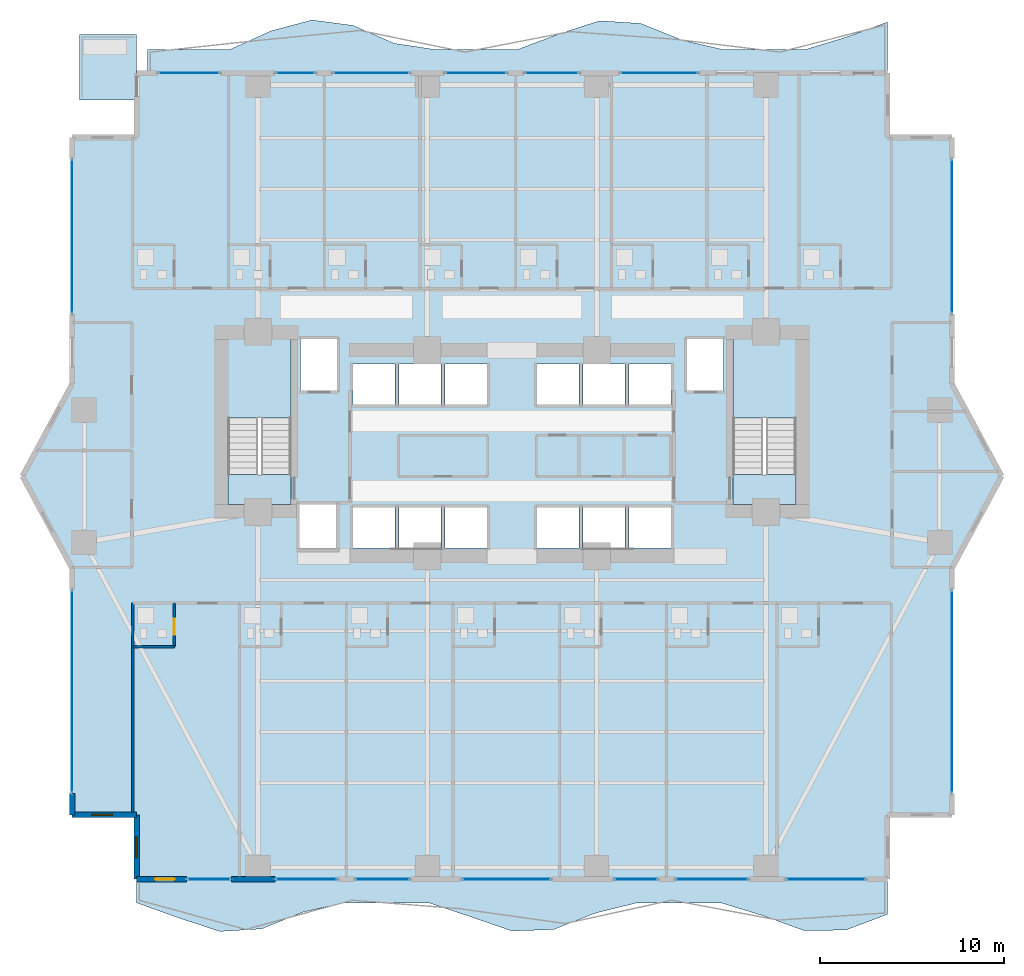
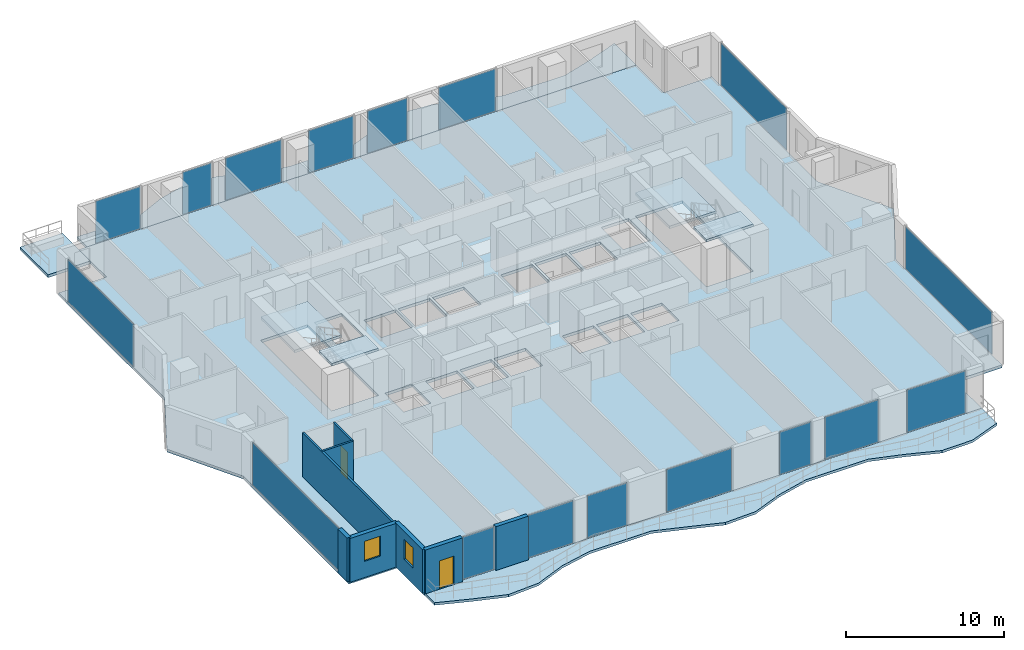
# One storey, part 20 of 29: 17 plates, 8 slabs, 8 walls, 2 doors, 2 windows, 4 openings, 19 elements without a shape of their own.
"""IFC4 building model written with IfcOpenShell, lengths in metres."""

from ifc_helpers import new_model, si_unit, direction, frame, frame_2d, origin, origin_2d, place, context, subcontext, project, spatial, polyline, rectangle, outline, extrude, material, layer, layer_set, type_object, element, fill, aggregate, save


model = new_model("IFC4")

# Units and contexts
model_context = context("Model", 3, precision=1e-05, world=origin(), true_north=direction((0.0, 1.0)))
body_context = subcontext(model_context, "Body", "Model", "MODEL_VIEW")
ifc_project = project(units=[si_unit("LENGTHUNIT", "METRE"), si_unit("AREAUNIT", "SQUARE_METRE"), si_unit("VOLUMEUNIT", "CUBIC_METRE"), si_unit("PLANEANGLEUNIT", "RADIAN"), si_unit("MASSUNIT", "GRAM", prefix="KILO")], contexts=[model_context])

# Site, building, storey
site_placement = place(None, origin())
site = spatial("IfcSite", under=ifc_project, at=site_placement, CompositionType="ELEMENT")
building_placement = place(site_placement, origin())
building = spatial("IfcBuilding", under=site, at=building_placement, Name="Zuhayl Quay Hotel", CompositionType="ELEMENT")
storey_placement = place(building_placement, frame((0.0, 0.0, 158.550048828125)))
storey = spatial("IfcBuildingStorey", under=building, at=storey_placement, Name="L40", CompositionType="ELEMENT", Elevation=158.550048828125)

# Curtain wall, plate
ifc_material_1 = material(Name="Anodised Aluminium 6063-T6", Category="aluminium")
ifc_layer_1 = layer(ifc_material_1, 0.179931640625, Name="Anodised Aluminium 6063-T6", Category="aluminium")
ifc_layer_set_1 = layer_set([ifc_layer_1], Name="Anodised Aluminium 6063-T6")
curtain_wall_type = type_object("IfcCurtainWallType", Name="CW_SYS_Z2", PredefinedType="USERDEFINED", material=ifc_layer_set_1)
curtain_wall_1_placement = place(storey_placement, origin())
curtain_wall_1 = element("IfcCurtainWall", 1, at=curtain_wall_1_placement, inside=storey, type_object=curtain_wall_type, Name="L40 Curtain Wall ENV_L40_E02_CW1", ObjectType="UNITISED CURTAIN WALL", PredefinedType="USERDEFINED")
ifc_material_2 = material(Name="Dark Ceramic-Fritted Solar Glass", Category="glass")
ifc_layer_2 = layer(ifc_material_2, 0.035888671875, Name="Dark Ceramic-Fritted Solar Glass", Category="glass")
ifc_layer_set_2 = layer_set([ifc_layer_2], Name="Dark Ceramic-Fritted Solar Glass")
plate_type = type_object("IfcPlateType", Name="PN_DARK_FRIT_Z1", PredefinedType="CURTAIN_PANEL", material=ifc_layer_set_2)
plate_1_placement = place(storey_placement, frame((-23.89990234375, -5.199951171875, 0.06005859375), z_axis=(0.0, 0.0, 1.0), x_axis=(0.0, 1.0, 0.0)))
plate_1 = element("IfcPlate", 2, at=plate_1_placement, type_object=plate_type, Name="CW-Z2 panel 1.1", PredefinedType="CURTAIN_PANEL", context=body_context, shape_type="SweptSolid", body=[
    extrude(rectangle(XDim=10.969970703125, YDim=0.035888671875, at=origin_2d()), origin(), (0.0, 0.0, 1.0), 3.27001953125),
])
aggregate(curtain_wall_1, [plate_1])

curtain_wall_2_placement = place(storey_placement, origin())
curtain_wall_2 = element("IfcCurtainWall", 3, at=curtain_wall_2_placement, inside=storey, type_object=curtain_wall_type, Name="L40 Curtain Wall ENV_L40_E05_CW1", ObjectType="UNITISED CURTAIN WALL", PredefinedType="USERDEFINED")
plate_2_placement = place(storey_placement, frame((-23.89990234375, 19.52490234375, 0.06005859375), z_axis=(0.0, 0.0, 1.0), x_axis=(0.0, 1.0, 0.0)))
plate_2 = element("IfcPlate", 4, at=plate_2_placement, type_object=plate_type, Name="CW-Z2 panel 1.1", PredefinedType="CURTAIN_PANEL", context=body_context, shape_type="SweptSolid", body=[
    extrude(rectangle(XDim=8.320068359375, YDim=0.035888671875, at=origin_2d()), origin(), (0.0, 0.0, 1.0), 3.27001953125),
])
aggregate(curtain_wall_2, [plate_2])

curtain_wall_3_placement = place(storey_placement, origin())
curtain_wall_3 = element("IfcCurtainWall", 5, at=curtain_wall_3_placement, inside=storey, type_object=curtain_wall_type, Name="L40 Curtain Wall ENV_L40_N_CW1", ObjectType="UNITISED CURTAIN WALL", PredefinedType="USERDEFINED")
plate_3_placement = place(storey_placement, frame((-17.550048828125, 28.39990234375, 0.06005859375), z_axis=(0.0, 0.0, 1.0), x_axis=(1.0, 0.0, 0.0)))
plate_3 = element("IfcPlate", 6, at=plate_3_placement, type_object=plate_type, Name="CW-Z2 panel 1.1", PredefinedType="CURTAIN_PANEL", context=body_context, shape_type="SweptSolid", body=[
    extrude(rectangle(XDim=3.27001953125, YDim=0.035888671875, at=origin_2d()), origin(), (0.0, 0.0, 1.0), 3.27001953125),
])
aggregate(curtain_wall_3, [plate_3])

curtain_wall_4_placement = place(storey_placement, origin())
curtain_wall_4 = element("IfcCurtainWall", 7, at=curtain_wall_4_placement, inside=storey, type_object=curtain_wall_type, Name="L40 Curtain Wall ENV_L40_N_CW2", ObjectType="UNITISED CURTAIN WALL", PredefinedType="USERDEFINED")
plate_4_placement = place(storey_placement, frame((-11.764892578125, 28.39990234375, 0.06005859375), z_axis=(0.0, 0.0, 1.0), x_axis=(1.0, 0.0, 0.0)))
plate_4 = element("IfcPlate", 8, at=plate_4_placement, type_object=plate_type, Name="CW-Z2 panel 1.1", PredefinedType="CURTAIN_PANEL", context=body_context, shape_type="SweptSolid", body=[
    extrude(rectangle(XDim=2.10009765625, YDim=0.035888671875, at=origin_2d()), origin(), (0.0, 0.0, 1.0), 3.27001953125),
])
aggregate(curtain_wall_4, [plate_4])

curtain_wall_5_placement = place(storey_placement, origin())
curtain_wall_5 = element("IfcCurtainWall", 9, at=curtain_wall_5_placement, inside=storey, type_object=curtain_wall_type, Name="L40 Curtain Wall ENV_L40_N_CW3", ObjectType="UNITISED CURTAIN WALL", PredefinedType="USERDEFINED")
plate_5_placement = place(storey_placement, frame((-7.635009765625, 28.39990234375, 0.06005859375), z_axis=(0.0, 0.0, 1.0), x_axis=(1.0, 0.0, 0.0)))
plate_5 = element("IfcPlate", 10, at=plate_5_placement, type_object=plate_type, Name="CW-Z2 panel 1.1", PredefinedType="CURTAIN_PANEL", context=body_context, shape_type="SweptSolid", body=[
    extrude(rectangle(XDim=4.10009765625, YDim=0.035888671875, at=origin_2d()), origin(), (0.0, 0.0, 1.0), 3.27001953125),
])
aggregate(curtain_wall_5, [plate_5])

curtain_wall_6_placement = place(storey_placement, origin())
curtain_wall_6 = element("IfcCurtainWall", 11, at=curtain_wall_6_placement, inside=storey, type_object=curtain_wall_type, Name="L40 Curtain Wall ENV_L40_N_CW4", ObjectType="UNITISED CURTAIN WALL", PredefinedType="USERDEFINED")
plate_6_placement = place(storey_placement, frame((-1.965087890625, 28.39990234375, 0.06005859375), z_axis=(0.0, 0.0, 1.0), x_axis=(1.0, 0.0, 0.0)))
plate_6 = element("IfcPlate", 12, at=plate_6_placement, type_object=plate_type, Name="CW-Z2 panel 1.1", PredefinedType="CURTAIN_PANEL", context=body_context, shape_type="SweptSolid", body=[
    extrude(rectangle(XDim=3.300048828125, YDim=0.035888671875, at=origin_2d()), origin(), (0.0, 0.0, 1.0), 3.27001953125),
])
aggregate(curtain_wall_6, [plate_6])

curtain_wall_7_placement = place(storey_placement, origin())
curtain_wall_7 = element("IfcCurtainWall", 13, at=curtain_wall_7_placement, inside=storey, type_object=curtain_wall_type, Name="L40 Curtain Wall ENV_L40_N_CW5", ObjectType="UNITISED CURTAIN WALL", PredefinedType="USERDEFINED")
plate_7_placement = place(storey_placement, frame((2.1650390625, 28.39990234375, 0.06005859375), z_axis=(0.0, 0.0, 1.0), x_axis=(1.0, 0.0, 0.0)))
plate_7 = element("IfcPlate", 14, at=plate_7_placement, type_object=plate_type, Name="CW-Z2 panel 1.1", PredefinedType="CURTAIN_PANEL", context=body_context, shape_type="SweptSolid", body=[
    extrude(rectangle(XDim=2.89990234375, YDim=0.035888671875, at=origin_2d()), origin(), (0.0, 0.0, 1.0), 3.27001953125),
])
aggregate(curtain_wall_7, [plate_7])

curtain_wall_8_placement = place(storey_placement, origin())
curtain_wall_8 = element("IfcCurtainWall", 15, at=curtain_wall_8_placement, inside=storey, type_object=curtain_wall_type, Name="L40 Curtain Wall ENV_L40_N_CW6", ObjectType="UNITISED CURTAIN WALL", PredefinedType="USERDEFINED")
plate_8_placement = place(storey_placement, frame((8.0, 28.39990234375, 0.06005859375), z_axis=(0.0, 0.0, 1.0), x_axis=(1.0, 0.0, 0.0)))
plate_8 = element("IfcPlate", 16, at=plate_8_placement, type_object=plate_type, Name="CW-Z2 panel 1.1", PredefinedType="CURTAIN_PANEL", context=body_context, shape_type="SweptSolid", body=[
    extrude(rectangle(XDim=4.169921875, YDim=0.035888671875, at=origin_2d()), origin(), (0.0, 0.0, 1.0), 3.27001953125),
])
aggregate(curtain_wall_8, [plate_8])

curtain_wall_9_placement = place(storey_placement, origin())
curtain_wall_9 = element("IfcCurtainWall", 17, at=curtain_wall_9_placement, inside=storey, type_object=curtain_wall_type, Name="L40 Curtain Wall ENV_L40_E11_CW1", ObjectType="UNITISED CURTAIN WALL", PredefinedType="USERDEFINED")
plate_9_placement = place(storey_placement, frame((23.89990234375, 19.52490234375, 0.06005859375), z_axis=(0.0, 0.0, 1.0), x_axis=(0.0, -1.0, 0.0)))
plate_9 = element("IfcPlate", 18, at=plate_9_placement, type_object=plate_type, Name="CW-Z2 panel 1.1", PredefinedType="CURTAIN_PANEL", context=body_context, shape_type="SweptSolid", body=[
    extrude(rectangle(XDim=8.320068359375, YDim=0.035888671875, at=origin_2d()), origin(), (0.0, 0.0, 1.0), 3.27001953125),
])
aggregate(curtain_wall_9, [plate_9])

curtain_wall_10_placement = place(storey_placement, origin())
curtain_wall_10 = element("IfcCurtainWall", 19, at=curtain_wall_10_placement, inside=storey, type_object=curtain_wall_type, Name="L40 Curtain Wall ENV_L40_E14_CW1", ObjectType="UNITISED CURTAIN WALL", PredefinedType="USERDEFINED")
plate_10_placement = place(storey_placement, frame((23.89990234375, -5.199951171875, 0.06005859375), z_axis=(0.0, 0.0, 1.0), x_axis=(0.0, -1.0, 0.0)))
plate_10 = element("IfcPlate", 20, at=plate_10_placement, type_object=plate_type, Name="CW-Z2 panel 1.1", PredefinedType="CURTAIN_PANEL", context=body_context, shape_type="SweptSolid", body=[
    extrude(rectangle(XDim=10.969970703125, YDim=0.035888671875, at=origin_2d()), origin(), (0.0, 0.0, 1.0), 3.27001953125),
])
aggregate(curtain_wall_10, [plate_10])

curtain_wall_11_placement = place(storey_placement, origin())
curtain_wall_11 = element("IfcCurtainWall", 21, at=curtain_wall_11_placement, inside=storey, type_object=curtain_wall_type, Name="L40 Curtain Wall ENV_L40_S_CW1", ObjectType="UNITISED CURTAIN WALL", PredefinedType="USERDEFINED")
plate_11_placement = place(storey_placement, frame((17.050048828125, -15.39990234375, 0.06005859375), z_axis=(0.0, 0.0, 1.0), x_axis=(-1.0, 0.0, 0.0)))
plate_11 = element("IfcPlate", 22, at=plate_11_placement, type_object=plate_type, Name="CW-Z2 panel 1.1", PredefinedType="CURTAIN_PANEL", context=body_context, shape_type="SweptSolid", body=[
    extrude(rectangle(XDim=4.27001953125, YDim=0.035888671875, at=origin_2d()), origin(), (0.0, 0.0, 1.0), 3.27001953125),
])
aggregate(curtain_wall_11, [plate_11])

curtain_wall_12_placement = place(storey_placement, origin())
curtain_wall_12 = element("IfcCurtainWall", 23, at=curtain_wall_12_placement, inside=storey, type_object=curtain_wall_type, Name="L40 Curtain Wall ENV_L40_S_CW2", ObjectType="UNITISED CURTAIN WALL", PredefinedType="USERDEFINED")
plate_12_placement = place(storey_placement, frame((10.864990234375, -15.39990234375, 0.06005859375), z_axis=(0.0, 0.0, 1.0), x_axis=(-1.0, 0.0, 0.0)))
plate_12 = element("IfcPlate", 24, at=plate_12_placement, type_object=plate_type, Name="CW-Z2 panel 1.1", PredefinedType="CURTAIN_PANEL", context=body_context, shape_type="SweptSolid", body=[
    extrude(rectangle(XDim=3.89990234375, YDim=0.035888671875, at=origin_2d()), origin(), (0.0, 0.0, 1.0), 3.27001953125),
])
aggregate(curtain_wall_12, [plate_12])

curtain_wall_13_placement = place(storey_placement, origin())
curtain_wall_13 = element("IfcCurtainWall", 25, at=curtain_wall_13_placement, inside=storey, type_object=curtain_wall_type, Name="L40 Curtain Wall ENV_L40_S_CW3", ObjectType="UNITISED CURTAIN WALL", PredefinedType="USERDEFINED")
plate_13_placement = place(storey_placement, frame((6.735107421875, -15.39990234375, 0.06005859375), z_axis=(0.0, 0.0, 1.0), x_axis=(-1.0, 0.0, 0.0)))
plate_13 = element("IfcPlate", 26, at=plate_13_placement, type_object=plate_type, Name="CW-Z2 panel 1.1", PredefinedType="CURTAIN_PANEL", context=body_context, shape_type="SweptSolid", body=[
    extrude(rectangle(XDim=2.300048828125, YDim=0.035888671875, at=origin_2d()), origin(), (0.0, 0.0, 1.0), 3.27001953125),
])
aggregate(curtain_wall_13, [plate_13])

curtain_wall_14_placement = place(storey_placement, origin())
curtain_wall_14 = element("IfcCurtainWall", 27, at=curtain_wall_14_placement, inside=storey, type_object=curtain_wall_type, Name="L40 Curtain Wall ENV_L40_S_CW4", ObjectType="UNITISED CURTAIN WALL", PredefinedType="USERDEFINED")
plate_14_placement = place(storey_placement, frame((-0.300048828125, -15.39990234375, 0.06005859375), z_axis=(0.0, 0.0, 1.0), x_axis=(-1.0, 0.0, 0.0)))
plate_14 = element("IfcPlate", 28, at=plate_14_placement, type_object=plate_type, Name="CW-Z2 panel 1.1", PredefinedType="CURTAIN_PANEL", context=body_context, shape_type="SweptSolid", body=[
    extrude(rectangle(XDim=4.77001953125, YDim=0.035888671875, at=origin_2d()), origin(), (0.0, 0.0, 1.0), 3.27001953125),
])
aggregate(curtain_wall_14, [plate_14])

curtain_wall_15_placement = place(storey_placement, origin())
curtain_wall_15 = element("IfcCurtainWall", 29, at=curtain_wall_15_placement, inside=storey, type_object=curtain_wall_type, Name="L40 Curtain Wall ENV_L40_S_CW5", ObjectType="UNITISED CURTAIN WALL", PredefinedType="USERDEFINED")
plate_15_placement = place(storey_placement, frame((-7.034912109375, -15.39990234375, 0.06005859375), z_axis=(0.0, 0.0, 1.0), x_axis=(-1.0, 0.0, 0.0)))
plate_15 = element("IfcPlate", 30, at=plate_15_placement, type_object=plate_type, Name="CW-Z2 panel 1.1", PredefinedType="CURTAIN_PANEL", context=body_context, shape_type="SweptSolid", body=[
    extrude(rectangle(XDim=2.89990234375, YDim=0.035888671875, at=origin_2d()), origin(), (0.0, 0.0, 1.0), 3.27001953125),
])
aggregate(curtain_wall_15, [plate_15])

curtain_wall_16_placement = place(storey_placement, origin())
curtain_wall_16 = element("IfcCurtainWall", 31, at=curtain_wall_16_placement, inside=storey, type_object=curtain_wall_type, Name="L40 Curtain Wall ENV_L40_S_CW6", ObjectType="UNITISED CURTAIN WALL", PredefinedType="USERDEFINED")
plate_16_placement = place(storey_placement, frame((-11.1650390625, -15.39990234375, 0.06005859375), z_axis=(0.0, 0.0, 1.0), x_axis=(-1.0, 0.0, 0.0)))
plate_16 = element("IfcPlate", 32, at=plate_16_placement, type_object=plate_type, Name="CW-Z2 panel 1.1", PredefinedType="CURTAIN_PANEL", context=body_context, shape_type="SweptSolid", body=[
    extrude(rectangle(XDim=3.300048828125, YDim=0.035888671875, at=origin_2d()), origin(), (0.0, 0.0, 1.0), 3.27001953125),
])
aggregate(curtain_wall_16, [plate_16])

curtain_wall_17_placement = place(storey_placement, origin())
curtain_wall_17 = element("IfcCurtainWall", 33, at=curtain_wall_17_placement, inside=storey, type_object=curtain_wall_type, Name="L40 Curtain Wall ENV_L40_S_CW7", ObjectType="UNITISED CURTAIN WALL", PredefinedType="USERDEFINED")
plate_17_placement = place(storey_placement, frame((-16.467529296875, -15.39990234375, 0.06005859375), z_axis=(0.0, 0.0, 1.0), x_axis=(-1.0, 0.0, 0.0)))
plate_17 = element("IfcPlate", 34, at=plate_17_placement, type_object=plate_type, Name="CW-Z2 panel 1.1", PredefinedType="CURTAIN_PANEL", context=body_context, shape_type="SweptSolid", body=[
    extrude(rectangle(XDim=2.304931640625, YDim=0.035888671875, at=origin_2d()), origin(), (0.0, 0.0, 1.0), 3.27001953125),
])
aggregate(curtain_wall_17, [plate_17])

# Slabs
ifc_material_3 = material(Name="Concrete C45/55", Category="concrete")
ifc_layer_3 = layer(ifc_material_3, 0.195068359375, Name="Concrete C45/55", Category="concrete")
ifc_layer_set_3 = layer_set([ifc_layer_3], Name="Concrete C45/55")
slab_type_1 = type_object("IfcSlabType", Name="SL_BALCONY_195", PredefinedType="FLOOR", material=ifc_layer_set_3)
slab_1_placement = place(storey_placement, frame((0.0, 0.0, -0.195068359375)))
element("IfcSlab", 35, at=slab_1_placement, inside=storey, type_object=slab_type_1, Name="L40 Exterior Rippling Balcony Slab North", PredefinedType="FLOOR", context=body_context, shape_type="SweptSolid", body=[
    extrude(outline(polyline([(-19.800048828125, 28.39990234375), (20.39990234375, 28.39990234375), (20.39990234375, 31.17822265625), (18.166748046875, 30.357666015625), (15.933349609375, 29.679931640625), (13.699951171875, 29.679931640625), (11.466796875, 29.679931640625), (9.2333984375, 30.197021484375), (7.0, 31.098388671875), (4.7666015625, 31.243896484375), (2.533203125, 30.5283203125), (0.300048828125, 29.679931640625), (-1.933349609375, 29.679931640625), (-4.166748046875, 29.679931640625), (-6.39990234375, 30.017333984375), (-8.63330078125, 30.98974609375), (-10.86669921875, 31.28466796875), (-13.10009765625, 30.689208984375), (-15.333251953125, 29.679931640625), (-17.566650390625, 29.679931640625), (-19.800048828125, 29.679931640625), (-19.800048828125, 28.39990234375)])), origin(), (0.0, 0.0, 1.0), 0.195068359375),
])
slab_2_placement = place(storey_placement, frame((0.0, 0.0, -0.195068359375)))
element("IfcSlab", 36, at=slab_2_placement, inside=storey, type_object=slab_type_1, Name="L40 Exterior Rippling Balcony Slab South", PredefinedType="FLOOR", context=body_context, shape_type="SweptSolid", body=[
    extrude(outline(polyline([(-20.39990234375, -16.679931640625), (-18.13330078125, -17.498046875), (-15.86669921875, -18.23876953125), (-13.60009765625, -18.098388671875), (-11.333251953125, -17.1806640625), (-9.066650390625, -16.679931640625), (-6.800048828125, -16.679931640625), (-4.533203125, -16.679931640625), (-2.2666015625, -17.436279296875), (0.0, -18.217041015625), (2.2666015625, -18.132568359375), (4.533203125, -17.24560546875), (6.800048828125, -16.679931640625), (9.066650390625, -16.679931640625), (11.333251953125, -16.679931640625), (13.60009765625, -17.37353515625), (15.86669921875, -18.19189453125), (18.13330078125, -18.163818359375), (20.39990234375, -17.309814453125), (20.39990234375, -15.39990234375), (-20.39990234375, -15.39990234375), (-20.39990234375, -16.679931640625)])), origin(), (0.0, 0.0, 1.0), 0.195068359375),
])
ifc_layer_4 = layer(ifc_material_3, 0.219970703125, Name="Concrete C45/55", Category="concrete")
ifc_layer_set_4 = layer_set([ifc_layer_4], Name="Concrete C45/55")
slab_type_2 = type_object("IfcSlabType", Name="SL_FLOOR_220", PredefinedType="FLOOR", material=ifc_layer_set_4)
slab_3_placement = place(storey_placement, frame((0.0, 0.0, -0.219970703125)))
element("IfcSlab", 37, at=slab_3_placement, inside=storey, type_object=slab_type_2, Name="L40 Structural Floor Slab", PredefinedType="FLOOR", context=body_context, shape_type="SweptSolid", body=[
    extrude(outline(polyline([(-20.39990234375, -15.39990234375), (20.39990234375, -15.39990234375), (20.39990234375, -11.89990234375), (23.89990234375, -11.89990234375), (23.89990234375, 1.5), (26.60009765625, 6.5), (23.89990234375, 11.5), (23.89990234375, 24.89990234375), (20.39990234375, 24.89990234375), (20.39990234375, 28.39990234375), (-20.39990234375, 28.39990234375), (-20.39990234375, 24.89990234375), (-23.89990234375, 24.89990234375), (-23.89990234375, 11.5), (-26.60009765625, 6.5), (-23.89990234375, 1.5), (-23.89990234375, -11.89990234375), (-20.39990234375, -11.89990234375), (-20.39990234375, -15.39990234375)]), holes=[polyline([(-12.0, 4.949951171875), (-12.0, 13.949951171875), (-15.429931640625, 13.949951171875), (-15.429931640625, 4.949951171875), (-12.0, 4.949951171875)]), polyline([(15.429931640625, 4.949951171875), (15.429931640625, 13.949951171875), (12.0, 13.949951171875), (12.0, 4.949951171875), (15.429931640625, 4.949951171875)]), polyline([(-11.5, 11.14990234375), (-9.5, 11.14990234375), (-9.5, 13.949951171875), (-11.5, 13.949951171875), (-11.5, 11.14990234375)]), polyline([(9.5, 11.14990234375), (11.5, 11.14990234375), (11.5, 13.949951171875), (9.5, 13.949951171875), (9.5, 11.14990234375)]), polyline([(-8.64990234375, 2.60009765625), (-6.35009765625, 2.60009765625), (-6.35009765625, 4.800048828125), (-8.64990234375, 4.800048828125), (-8.64990234375, 2.60009765625)]), polyline([(-6.14990234375, 2.60009765625), (-3.85009765625, 2.60009765625), (-3.85009765625, 4.800048828125), (-6.14990234375, 4.800048828125), (-6.14990234375, 2.60009765625)]), polyline([(-8.64990234375, 10.39990234375), (-6.35009765625, 10.39990234375), (-6.35009765625, 12.60009765625), (-8.64990234375, 12.60009765625), (-8.64990234375, 10.39990234375)]), polyline([(-6.14990234375, 10.39990234375), (-3.85009765625, 10.39990234375), (-3.85009765625, 12.60009765625), (-6.14990234375, 12.60009765625), (-6.14990234375, 10.39990234375)]), polyline([(-3.64990234375, 2.60009765625), (-1.35009765625, 2.60009765625), (-1.35009765625, 4.800048828125), (-3.64990234375, 4.800048828125), (-3.64990234375, 2.60009765625)]), polyline([(1.35009765625, 2.60009765625), (3.64990234375, 2.60009765625), (3.64990234375, 4.800048828125), (1.35009765625, 4.800048828125), (1.35009765625, 2.60009765625)]), polyline([(-3.64990234375, 10.39990234375), (-1.35009765625, 10.39990234375), (-1.35009765625, 12.60009765625), (-3.64990234375, 12.60009765625), (-3.64990234375, 10.39990234375)]), polyline([(1.35009765625, 10.39990234375), (3.64990234375, 10.39990234375), (3.64990234375, 12.60009765625), (1.35009765625, 12.60009765625), (1.35009765625, 10.39990234375)]), polyline([(3.85009765625, 2.60009765625), (6.14990234375, 2.60009765625), (6.14990234375, 4.800048828125), (3.85009765625, 4.800048828125), (3.85009765625, 2.60009765625)]), polyline([(6.35009765625, 2.60009765625), (8.64990234375, 2.60009765625), (8.64990234375, 4.800048828125), (6.35009765625, 4.800048828125), (6.35009765625, 2.60009765625)]), polyline([(3.85009765625, 10.39990234375), (6.14990234375, 10.39990234375), (6.14990234375, 12.60009765625), (3.85009765625, 12.60009765625), (3.85009765625, 10.39990234375)]), polyline([(6.35009765625, 10.39990234375), (8.64990234375, 10.39990234375), (8.64990234375, 12.60009765625), (6.35009765625, 12.60009765625), (6.35009765625, 10.39990234375)]), polyline([(-11.550048828125, 2.550048828125), (-9.550048828125, 2.550048828125), (-9.550048828125, 4.949951171875), (-11.550048828125, 4.949951171875), (-11.550048828125, 2.550048828125)])]), origin(), (0.0, 0.0, 1.0), 0.219970703125),
])

# Stair, slabs
stair_type = type_object("IfcStairType", Name="ST_DOGLEG_TOWER", PredefinedType="HALF_TURN_STAIR", material=ifc_material_3)
stair_1_placement = place(storey_placement, origin())
stair_1 = element("IfcStair", 38, at=stair_1_placement, inside=storey, type_object=stair_type, Name="L40 Smokeproof Exit Stair ST1", PredefinedType="HALF_TURN_STAIR")
ifc_layer_5 = layer(ifc_material_3, 0.199951171875, Name="Concrete C45/55", Category="concrete")
ifc_layer_set_5 = layer_set([ifc_layer_5], Name="Concrete C45/55")
slab_type_3 = type_object("IfcSlabType", Name="SL_STAIR_LANDING_200", PredefinedType="LANDING", material=ifc_layer_set_5)
slab_4_placement = place(storey_placement, frame((0.0, 0.0, 1.625)))
slab_4 = element("IfcSlab", 39, at=slab_4_placement, type_object=slab_type_3, Name="ST1 landing 1", PredefinedType="LANDING", context=body_context, shape_type="SweptSolid", body=[
    extrude(outline(polyline([(-12.0, 9.64990234375), (-12.0, 13.949951171875), (-15.429931640625, 13.949951171875), (-15.429931640625, 9.64990234375), (-12.0, 9.64990234375)])), origin(), (0.0, 0.0, 1.0), 0.199951171875),
])
slab_5_placement = place(storey_placement, frame((0.0, 0.0, 3.449951171875)))
slab_5 = element("IfcSlab", 40, at=slab_5_placement, type_object=slab_type_3, Name="ST1 landing 2", PredefinedType="LANDING", context=body_context, shape_type="SweptSolid", body=[
    extrude(outline(polyline([(-12.0, 4.949951171875), (-12.0, 6.590087890625), (-15.429931640625, 6.590087890625), (-15.429931640625, 4.949951171875), (-12.0, 4.949951171875)])), origin(), (0.0, 0.0, 1.0), 0.199951171875),
])
aggregate(stair_1, [slab_4, slab_5])

stair_2_placement = place(storey_placement, origin())
stair_2 = element("IfcStair", 41, at=stair_2_placement, inside=storey, type_object=stair_type, Name="L40 Smokeproof Exit Stair ST2", PredefinedType="HALF_TURN_STAIR")
slab_6_placement = place(storey_placement, frame((0.0, 0.0, 1.625)))
slab_6 = element("IfcSlab", 42, at=slab_6_placement, type_object=slab_type_3, Name="ST2 landing 1", PredefinedType="LANDING", context=body_context, shape_type="SweptSolid", body=[
    extrude(outline(polyline([(15.429931640625, 9.64990234375), (15.429931640625, 13.949951171875), (12.0, 13.949951171875), (12.0, 9.64990234375), (15.429931640625, 9.64990234375)])), origin(), (0.0, 0.0, 1.0), 0.199951171875),
])
slab_7_placement = place(storey_placement, frame((0.0, 0.0, 3.449951171875)))
slab_7 = element("IfcSlab", 43, at=slab_7_placement, type_object=slab_type_3, Name="ST2 landing 2", PredefinedType="LANDING", context=body_context, shape_type="SweptSolid", body=[
    extrude(outline(polyline([(15.429931640625, 4.949951171875), (15.429931640625, 6.590087890625), (12.0, 6.590087890625), (12.0, 4.949951171875), (15.429931640625, 4.949951171875)])), origin(), (0.0, 0.0, 1.0), 0.199951171875),
])
aggregate(stair_2, [slab_6, slab_7])

# Slab
ifc_layer_6 = layer(ifc_material_3, 0.219970703125, Name="Concrete C45/55", Category="concrete")
ifc_layer_set_6 = layer_set([ifc_layer_6], Name="Concrete C45/55")
slab_type_4 = type_object("IfcSlabType", Name="SL_TERRACE_235", PredefinedType="FLOOR", material=ifc_layer_set_6)
slab_8_placement = place(storey_placement, frame((0.0, 0.0, -0.219970703125)))
element("IfcSlab", 44, at=slab_8_placement, inside=storey, type_object=slab_type_4, Name="L40 Exterior Sky-Terrace Slab L40_SPIRAL_NW", PredefinedType="FLOOR", context=body_context, shape_type="SweptSolid", body=[
    extrude(outline(polyline([(-23.5, 26.949951171875), (-20.39990234375, 26.949951171875), (-20.39990234375, 30.5), (-23.5, 30.5), (-23.5, 26.949951171875)])), origin(), (0.0, 0.0, 1.0), 0.219970703125),
])

# Wall, opening, window
ifc_material_4 = material(Name="Precast concrete C45/55", Category="concrete")
ifc_layer_7 = layer(ifc_material_4, 0.300048828125, Name="Precast concrete C45/55", Category="concrete")
ifc_layer_set_7 = layer_set([ifc_layer_7], Name="Precast concrete C45/55")
wall_type_1 = type_object("IfcWallType", Name="WL_EXT_300", PredefinedType="STANDARD", material=ifc_layer_set_7)
wall_1_placement = place(storey_placement, frame((-20.39990234375, -11.89990234375, 0.0), z_axis=(0.0, 0.0, 1.0), x_axis=(-1.0, 0.0, 0.0)))
wall_1 = element("IfcWall", 45, at=wall_1_placement, inside=storey, type_object=wall_type_1, Name="L40 Exterior Precast Wall ENV_L40_EW01", PredefinedType="STANDARD", context=body_context, shape_type="SweptSolid", body=[
    extrude(rectangle(XDim=3.5, YDim=0.300048828125, at=frame_2d((1.75, 0.0))), origin(), (0.0, 0.0, 1.0), 3.389892578125),
])
opening_1_placement = place(wall_1_placement, frame((1.284912109375, 0.0, 1.25)))
opening_1 = element("IfcOpeningElement", 46, at=opening_1_placement, cuts=wall_1, Name="Opening W01N", PredefinedType="OPENING", context=body_context, shape_type="SweptSolid", body=[
    extrude(rectangle(XDim=1.14990234375, YDim=1.550048828125, at=frame_2d((0.574951171875, 0.77490234375))), frame((0.0, 0.159912109375, 0.0), z_axis=(0.0, -1.0, 0.0), x_axis=(1.0, 0.0, 0.0)), (0.0, 0.0, 1.0), 0.320068359375),
])
window_type = type_object("IfcWindowType", Name="WN_NOTCH_1350", PartitioningType="SINGLE_PANEL", PredefinedType="WINDOW", material=ifc_material_2)
window_1_placement = place(opening_1_placement, origin())
window_1 = element("IfcWindow", 47, at=window_1_placement, inside=storey, type_object=window_type, Name="L40 Corner Notch Window 1", OverallHeight=1.550048828125, OverallWidth=1.14990234375, PartitioningType="SINGLE_PANEL", PredefinedType="WINDOW", context=body_context, shape_type="SweptSolid", body=[
    extrude(rectangle(XDim=1.14990234375, YDim=1.550048828125, at=frame_2d((0.574951171875, 0.77490234375))), frame((0.0, 0.030029296875, 0.0), z_axis=(0.0, -1.0, 0.0), x_axis=(1.0, 0.0, 0.0)), (0.0, 0.0, 1.0), 0.06005859375),
])
fill(opening_1, window_1)

# Walls
wall_2_placement = place(storey_placement, frame((-23.89990234375, -11.89990234375, 0.0), z_axis=(0.0, 0.0, 1.0), x_axis=(0.0, 1.0, 0.0)))
element("IfcWall", 48, at=wall_2_placement, inside=storey, type_object=wall_type_1, Name="L40 Exterior Precast Wall ENV_L40_E02_EW1", PredefinedType="STANDARD", context=body_context, shape_type="SweptSolid", body=[
    extrude(rectangle(XDim=1.14990234375, YDim=0.300048828125, at=frame_2d((0.574951171875, 0.0))), origin(), (0.0, 0.0, 1.0), 3.389892578125),
])
wall_3_placement = place(storey_placement, frame((-12.8798828125, -15.39990234375, 0.0), z_axis=(0.0, 0.0, 1.0), x_axis=(-1.0, 0.0, 0.0)))
element("IfcWall", 49, at=wall_3_placement, inside=storey, type_object=wall_type_1, Name="L40 Exterior Precast Wall ENV_L40_S_EW7", PredefinedType="STANDARD", context=body_context, shape_type="SweptSolid", body=[
    extrude(rectangle(XDim=2.3701171875, YDim=0.300048828125, at=frame_2d((1.18505859375, 0.0))), origin(), (0.0, 0.0, 1.0), 3.389892578125),
])

# Wall, opening, door
wall_4_placement = place(storey_placement, frame((-17.68505859375, -15.39990234375, 0.0), z_axis=(0.0, 0.0, 1.0), x_axis=(-1.0, 0.0, 0.0)))
wall_4 = element("IfcWall", 50, at=wall_4_placement, inside=storey, type_object=wall_type_1, Name="L40 Exterior Precast Wall ENV_L40_S_EW8", PredefinedType="STANDARD", context=body_context, shape_type="SweptSolid", body=[
    extrude(rectangle(XDim=2.71484375, YDim=0.300048828125, at=frame_2d((1.357421875, 0.0))), origin(), (0.0, 0.0, 1.0), 3.389892578125),
])
opening_2_placement = place(wall_4_placement, frame((0.64990234375, 0.0, 0.0)))
opening_2 = element("IfcOpeningElement", 51, at=opening_2_placement, cuts=wall_4, Name="Opening DG1", PredefinedType="OPENING", context=body_context, shape_type="SweptSolid", body=[
    extrude(rectangle(XDim=1.050048828125, YDim=2.199951171875, at=frame_2d((0.52490234375, 1.10009765625))), frame((0.0, 0.159912109375, 0.0), z_axis=(0.0, -1.0, 0.0), x_axis=(1.0, 0.0, 0.0)), (0.0, 0.0, 1.0), 0.320068359375),
])
ifc_material_5 = material(Name="Anodised Aluminium and Dark Solar Glass", Category="aluminium")
door_type_1 = type_object("IfcDoorType", Name="DR_EXT_TERR_1050", OperationType="NOTDEFINED", PredefinedType="DOOR", material=ifc_material_5)
door_1_placement = place(opening_2_placement, origin())
door_1 = element("IfcDoor", 52, at=door_1_placement, inside=storey, type_object=door_type_1, Name="L40 South Rippling Balcony Door", OperationType="SINGLE_SWING_RIGHT", OverallHeight=2.199951171875, OverallWidth=1.050048828125, PredefinedType="DOOR", context=body_context, shape_type="SweptSolid", body=[
    extrude(rectangle(XDim=1.050048828125, YDim=2.199951171875, at=frame_2d((0.52490234375, 1.10009765625))), frame((0.0, 0.02490234375, 0.0), z_axis=(0.0, -1.0, 0.0), x_axis=(1.0, 0.0, 0.0)), (0.0, 0.0, 1.0), 0.050048828125),
])
fill(opening_2, door_1)

# Wall, opening, window
wall_5_placement = place(storey_placement, frame((-20.39990234375, -15.39990234375, 0.0), z_axis=(0.0, 0.0, 1.0), x_axis=(0.0, 1.0, 0.0)))
wall_5 = element("IfcWall", 53, at=wall_5_placement, inside=storey, type_object=wall_type_1, Name="L40 Exterior Precast Wall ENV_L40_EW18", PredefinedType="STANDARD", context=body_context, shape_type="SweptSolid", body=[
    extrude(rectangle(XDim=3.5, YDim=0.300048828125, at=frame_2d((1.75, 0.0))), origin(), (0.0, 0.0, 1.0), 3.389892578125),
])
opening_3_placement = place(wall_5_placement, frame((1.1650390625, 0.0, 1.25)))
opening_3 = element("IfcOpeningElement", 54, at=opening_3_placement, cuts=wall_5, Name="Opening W01N", PredefinedType="OPENING", context=body_context, shape_type="SweptSolid", body=[
    extrude(rectangle(XDim=1.14990234375, YDim=1.550048828125, at=frame_2d((0.574951171875, 0.77490234375))), frame((0.0, 0.159912109375, 0.0), z_axis=(0.0, -1.0, 0.0), x_axis=(1.0, 0.0, 0.0)), (0.0, 0.0, 1.0), 0.320068359375),
])
window_2_placement = place(opening_3_placement, origin())
window_2 = element("IfcWindow", 55, at=window_2_placement, inside=storey, type_object=window_type, Name="L40 Corner Notch Window 18", OverallHeight=1.550048828125, OverallWidth=1.14990234375, PartitioningType="SINGLE_PANEL", PredefinedType="WINDOW", context=body_context, shape_type="SweptSolid", body=[
    extrude(rectangle(XDim=1.14990234375, YDim=1.550048828125, at=frame_2d((0.574951171875, 0.77490234375))), frame((0.0, 0.030029296875, 0.0), z_axis=(0.0, -1.0, 0.0), x_axis=(1.0, 0.0, 0.0)), (0.0, 0.0, 1.0), 0.06005859375),
])
fill(opening_3, window_2)

# Wall
ifc_material_6 = material(Name="Acoustic Gypsum Partition STC-58")
ifc_layer_8 = layer(ifc_material_6, 0.14990234375, Name="Acoustic Gypsum Partition STC-58")
ifc_layer_set_8 = layer_set([ifc_layer_8], Name="Acoustic Gypsum Partition STC-58")
wall_type_2 = type_object("IfcWallType", Name="WL_PART_150", PredefinedType="PARTITIONING", material=ifc_layer_set_8)
wall_6_placement = place(storey_placement, frame((-20.60009765625, -11.89990234375, 0.0), z_axis=(0.0, 0.0, 1.0), x_axis=(0.0, 1.0, 0.0)))
element("IfcWall", 56, at=wall_6_placement, inside=storey, type_object=wall_type_2, Name="L40 Partition IW_L40_SU01_W", PredefinedType="PARTITIONING", context=body_context, shape_type="SweptSolid", body=[
    extrude(rectangle(XDim=11.5, YDim=0.14990234375, at=frame_2d((5.75, 0.0))), origin(), (0.0, 0.0, 1.0), 3.389892578125),
])

# Wall, opening, door
ifc_material_7 = material(Name="Moisture-Resistant Sanitarychase Gypsum")
ifc_layer_9 = layer(ifc_material_7, 0.135009765625, Name="Moisture-Resistant Sanitarychase Gypsum")
ifc_layer_set_9 = layer_set([ifc_layer_9], Name="Moisture-Resistant Sanitarychase Gypsum")
wall_type_3 = type_object("IfcWallType", Name="WL_PART_PLUMB_150", PredefinedType="PLUMBINGWALL", material=ifc_layer_set_9)
wall_7_placement = place(storey_placement, frame((-18.340087890625, -2.760009765625, 0.0), z_axis=(0.0, 0.0, 1.0), x_axis=(0.0, 1.0, 0.0)))
wall_7 = element("IfcWall", 57, at=wall_7_placement, inside=storey, type_object=wall_type_3, Name="L40 Partition IW_L40_SU01_BE", PredefinedType="PLUMBINGWALL", context=body_context, shape_type="SweptSolid", body=[
    extrude(rectangle(XDim=2.360107421875, YDim=0.135009765625, at=frame_2d((1.18017578125, 0.0))), origin(), (0.0, 0.0, 1.0), 3.389892578125),
])
opening_4_placement = place(wall_7_placement, frame((0.64990234375, 0.0, 0.0)))
opening_4 = element("IfcOpeningElement", 58, at=opening_4_placement, cuts=wall_7, Name="Opening D04", PredefinedType="OPENING", context=body_context, shape_type="SweptSolid", body=[
    extrude(rectangle(XDim=0.85009765625, YDim=2.10009765625, at=frame_2d((0.425048828125, 1.050048828125))), frame((0.0, 0.077392578125, 0.0), z_axis=(0.0, -1.0, 0.0), x_axis=(1.0, 0.0, 0.0)), (0.0, 0.0, 1.0), 0.155029296875),
])
ifc_material_8 = material(Name="Moisture-Resistant Walnut Veneer")
door_type_2 = type_object("IfcDoorType", Name="DR_BATH_850", OperationType="NOTDEFINED", PredefinedType="DOOR", material=ifc_material_8)
door_2_placement = place(opening_4_placement, origin())
door_2 = element("IfcDoor", 59, at=door_2_placement, inside=storey, type_object=door_type_2, Name="L40 Premier Twin Junior Suite L40-01 En-Suite Door", OperationType="SINGLE_SWING_LEFT", OverallHeight=2.10009765625, OverallWidth=0.85009765625, PredefinedType="DOOR", context=body_context, shape_type="SweptSolid", body=[
    extrude(rectangle(XDim=0.85009765625, YDim=2.10009765625, at=frame_2d((0.425048828125, 1.050048828125))), frame((0.0, 0.02490234375, 0.0), z_axis=(0.0, -1.0, 0.0), x_axis=(1.0, 0.0, 0.0)), (0.0, 0.0, 1.0), 0.050048828125),
])
fill(opening_4, door_2)

# Wall
wall_8_placement = place(storey_placement, frame((-20.60009765625, -2.760009765625, 0.0), z_axis=(0.0, 0.0, 1.0), x_axis=(1.0, 0.0, 0.0)))
element("IfcWall", 60, at=wall_8_placement, inside=storey, type_object=wall_type_3, Name="L40 Partition IW_L40_SU01_BS", PredefinedType="PLUMBINGWALL", context=body_context, shape_type="SweptSolid", body=[
    extrude(rectangle(XDim=2.260009765625, YDim=0.135009765625, at=frame_2d((1.1298828125, 0.0))), origin(), (0.0, 0.0, 1.0), 3.389892578125),
])

save(model, "model.ifc")
